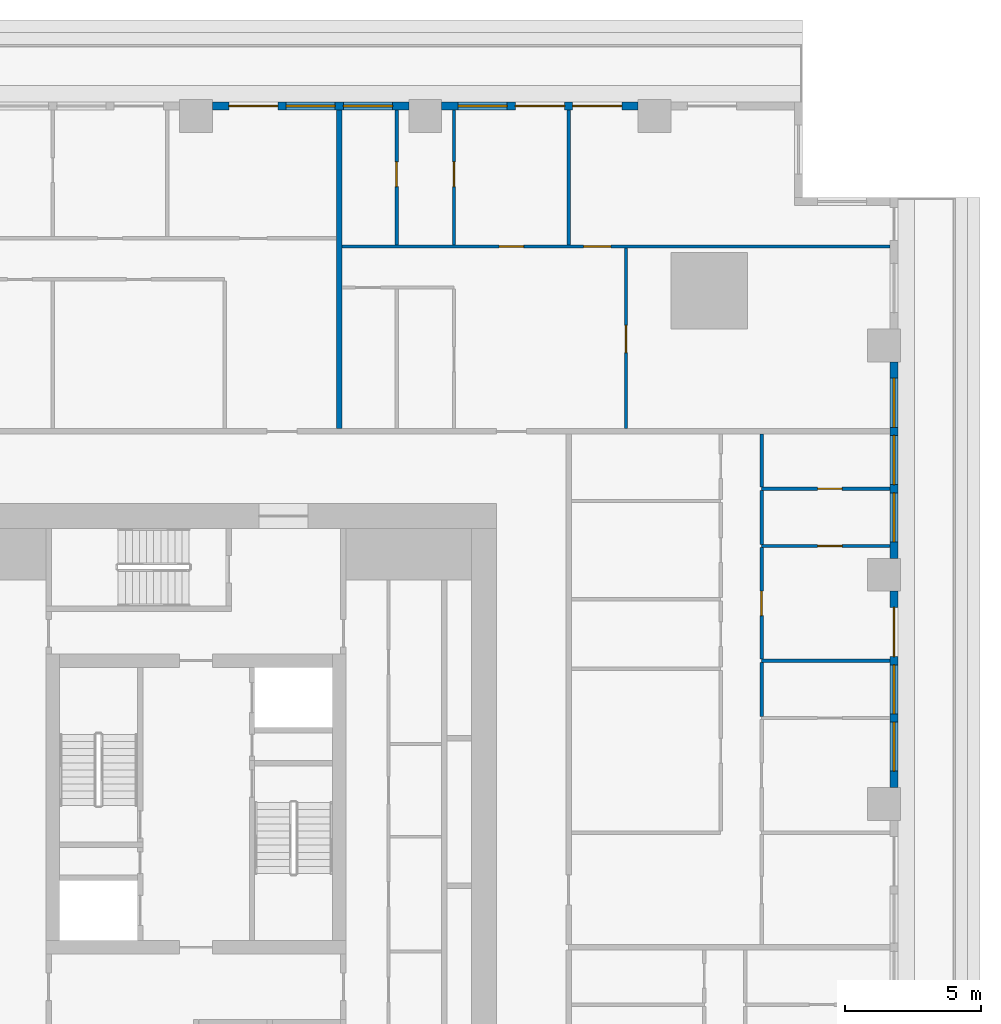
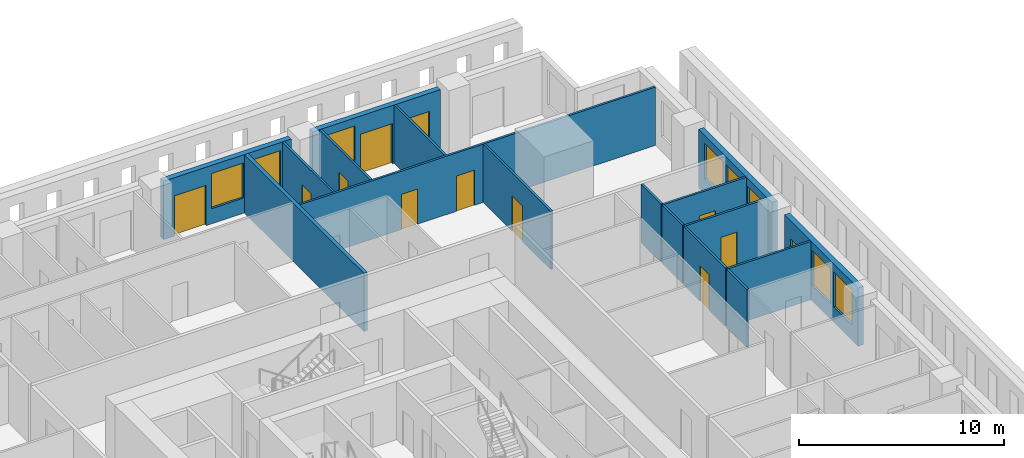
# One storey, part 9 of 15: 17 walls, 12 doors, 8 windows, 20 openings.
"""IFC4 building model written with IfcOpenShell, lengths in metres."""

from ifc_helpers import new_model, si_unit, direction, frame, frame_2d, origin, place, context, subcontext, project, spatial, rectangle, extrude, material, layer, layer_set, type_object, element, fill, save


model = new_model("IFC4")

# Units and contexts
model_context = context("Model", 3, precision=1e-05, world=origin(), true_north=direction((0.0, 1.0)))
body_context = subcontext(model_context, "Body", "Model", "MODEL_VIEW")
ifc_project = project(units=[si_unit("LENGTHUNIT", "METRE"), si_unit("AREAUNIT", "SQUARE_METRE"), si_unit("VOLUMEUNIT", "CUBIC_METRE"), si_unit("PLANEANGLEUNIT", "RADIAN"), si_unit("MASSUNIT", "GRAM", prefix="KILO")], contexts=[model_context])

# Site, building, storey
site_placement = place(None, origin())
site = spatial("IfcSite", under=ifc_project, at=site_placement, CompositionType="ELEMENT")
building_placement = place(site_placement, origin())
building = spatial("IfcBuilding", under=site, at=building_placement, Name="Khepri Terraces", CompositionType="ELEMENT")
storey_placement = place(building_placement, frame((0.0, 0.0, 94.800048828125)))
storey = spatial("IfcBuildingStorey", under=building, at=storey_placement, Name="L22", CompositionType="ELEMENT", Elevation=94.800048828125)

# Wall
ifc_material_1 = material(Name="Fire-rated gypsum plasterboard partition, mineral wool")
ifc_layer_1 = layer(ifc_material_1, 0.199951171875, Name="Fire-rated gypsum plasterboard partition, mineral wool")
ifc_layer_set_1 = layer_set([ifc_layer_1], Name="Fire-rated gypsum plasterboard partition, mineral wool")
wall_type_1 = type_object("IfcWallType", Name="WL-CORR-200", PredefinedType="PARTITIONING", material=ifc_layer_set_1)
wall_1_placement = place(storey_placement, frame((5.25, 13.75, 0.0), z_axis=(0.0, 0.0, 1.0), x_axis=(0.0, 1.0, 0.0)))
element("IfcWall", 1, at=wall_1_placement, inside=storey, type_object=wall_type_1, Name="Partition P-088 L22", PredefinedType="PARTITIONING", context=body_context, shape_type="SweptSolid", body=[
    extrude(rectangle(XDim=11.669921875, YDim=0.199951171875, at=frame_2d((5.8349609375, 0.0))), origin(), (0.0, 0.0, 1.0), 3.47998046875),
])

# Wall, openings, door, windows
ifc_material_2 = material(Name="Precast concrete C50/60 warm stone", Category="masonry")
ifc_layer_2 = layer(ifc_material_2, 0.300048828125, Name="Precast concrete C50/60 warm stone", Category="masonry")
ifc_layer_set_2 = layer_set([ifc_layer_2], Name="Precast concrete C50/60 warm stone")
wall_type_2 = type_object("IfcWallType", Name="WL-EXT-PRECAST-300", PredefinedType="STANDARD", material=ifc_layer_set_2)
wall_2_placement = place(storey_placement, frame((25.570068359375, 0.60009765625, 0.0), z_axis=(0.0, 0.0, 1.0), x_axis=(0.0, 1.0, 0.0)))
wall_2 = element("IfcWall", 2, at=wall_2_placement, inside=storey, type_object=wall_type_2, Name="External wall L22 E", PredefinedType="STANDARD", context=body_context, shape_type="SweptSolid", body=[
    extrude(rectangle(XDim=7.199951171875, YDim=0.300048828125, at=frame_2d((3.60009765625, 0.0))), origin(), (0.0, 0.0, 1.0), 3.47998046875),
])
opening_1_placement = place(wall_2_placement, frame((0.60009765625, 0.0, 0.89990234375)))
opening_1 = element("IfcOpeningElement", 3, at=opening_1_placement, cuts=wall_2, Name="Opening W1", PredefinedType="OPENING", context=body_context, shape_type="SweptSolid", body=[
    extrude(rectangle(XDim=1.800048828125, YDim=2.10009765625, at=frame_2d((0.89990234375, 1.050048828125))), frame((0.0, 0.16015625, 0.0), z_axis=(0.0, -1.0, 0.0), x_axis=(1.0, 0.0, 0.0)), (0.0, 0.0, 1.0), 0.320068359375),
])
opening_2_placement = place(wall_2_placement, frame((2.699951171875, 0.0, 0.89990234375)))
opening_2 = element("IfcOpeningElement", 4, at=opening_2_placement, cuts=wall_2, Name="Opening W1", PredefinedType="OPENING", context=body_context, shape_type="SweptSolid", body=[
    extrude(rectangle(XDim=1.800048828125, YDim=2.10009765625, at=frame_2d((0.89990234375, 1.050048828125))), frame((0.0, 0.16015625, 0.0), z_axis=(0.0, -1.0, 0.0), x_axis=(1.0, 0.0, 0.0)), (0.0, 0.0, 1.0), 0.320068359375),
])
opening_3_placement = place(wall_2_placement, frame((4.800048828125, 0.0, 0.0)))
opening_3 = element("IfcOpeningElement", 5, at=opening_3_placement, cuts=wall_2, Name="Opening ED-L22-05", PredefinedType="OPENING", context=body_context, shape_type="SweptSolid", body=[
    extrude(rectangle(XDim=1.800048828125, YDim=2.39990234375, at=frame_2d((0.89990234375, 1.199951171875))), frame((0.0, 0.16015625, 0.0), z_axis=(0.0, -1.0, 0.0), x_axis=(1.0, 0.0, 0.0)), (0.0, 0.0, 1.0), 0.320068359375),
])
ifc_material_3 = material(Name="Anodised aluminium bronze glazed door", Category="aluminium")
door_type_1 = type_object("IfcDoorType", Name="DR-BAL-SLIDE-1800x2400", OperationType="NOTDEFINED", PredefinedType="DOOR", material=ifc_material_3)
door_1_placement = place(opening_3_placement, origin())
door_1 = element("IfcDoor", 6, at=door_1_placement, inside=storey, type_object=door_type_1, Name="Balcony door L22 E", OperationType="SLIDING_TO_RIGHT", OverallHeight=2.39990234375, OverallWidth=1.800048828125, PredefinedType="DOOR", context=body_context, shape_type="SweptSolid", body=[
    extrude(rectangle(XDim=1.800048828125, YDim=2.39990234375, at=frame_2d((0.89990234375, 1.199951171875))), frame((0.0, 0.02490234375, 0.0), z_axis=(0.0, -1.0, 0.0), x_axis=(1.0, 0.0, 0.0)), (0.0, 0.0, 1.0), 0.050048828125),
])
fill(opening_3, door_1)
ifc_material_4 = material(Name="Clear glass", Category="glass")
window_type = type_object("IfcWindowType", Name="WIN-RES-1800x2100", PartitioningType="SINGLE_PANEL", PredefinedType="WINDOW", material=ifc_material_4)
window_1_placement = place(opening_1_placement, origin())
window_1 = element("IfcWindow", 7, at=window_1_placement, inside=storey, type_object=window_type, Name="Window L22 E", OverallHeight=2.10009765625, OverallWidth=1.800048828125, PartitioningType="SINGLE_PANEL", PredefinedType="WINDOW", context=body_context, shape_type="SweptSolid", body=[
    extrude(rectangle(XDim=1.800048828125, YDim=2.10009765625, at=frame_2d((0.89990234375, 1.050048828125))), frame((0.0, 0.030029296875, 0.0), z_axis=(0.0, -1.0, 0.0), x_axis=(1.0, 0.0, 0.0)), (0.0, 0.0, 1.0), 0.06005859375),
])
fill(opening_1, window_1)
window_2_placement = place(opening_2_placement, origin())
window_2 = element("IfcWindow", 8, at=window_2_placement, inside=storey, type_object=window_type, Name="Window L22 E", OverallHeight=2.10009765625, OverallWidth=1.800048828125, PartitioningType="SINGLE_PANEL", PredefinedType="WINDOW", context=body_context, shape_type="SweptSolid", body=[
    extrude(rectangle(XDim=1.800048828125, YDim=2.10009765625, at=frame_2d((0.89990234375, 1.050048828125))), frame((0.0, 0.030029296875, 0.0), z_axis=(0.0, -1.0, 0.0), x_axis=(1.0, 0.0, 0.0)), (0.0, 0.0, 1.0), 0.06005859375),
])
fill(opening_2, window_2)

# Wall, openings, windows
wall_3_placement = place(storey_placement, frame((25.570068359375, 9.0, 0.0), z_axis=(0.0, 0.0, 1.0), x_axis=(0.0, 1.0, 0.0)))
wall_3 = element("IfcWall", 9, at=wall_3_placement, inside=storey, type_object=wall_type_2, Name="External wall L22 E", PredefinedType="STANDARD", context=body_context, shape_type="SweptSolid", body=[
    extrude(rectangle(XDim=7.199951171875, YDim=0.300048828125, at=frame_2d((3.60009765625, 0.0))), origin(), (0.0, 0.0, 1.0), 3.47998046875),
])
opening_4_placement = place(wall_3_placement, frame((0.60009765625, 0.0, 0.89990234375)))
opening_4 = element("IfcOpeningElement", 10, at=opening_4_placement, cuts=wall_3, Name="Opening W1", PredefinedType="OPENING", context=body_context, shape_type="SweptSolid", body=[
    extrude(rectangle(XDim=1.800048828125, YDim=2.10009765625, at=frame_2d((0.89990234375, 1.050048828125))), frame((0.0, 0.16015625, 0.0), z_axis=(0.0, -1.0, 0.0), x_axis=(1.0, 0.0, 0.0)), (0.0, 0.0, 1.0), 0.320068359375),
])
opening_5_placement = place(wall_3_placement, frame((2.699951171875, 0.0, 0.89990234375)))
opening_5 = element("IfcOpeningElement", 11, at=opening_5_placement, cuts=wall_3, Name="Opening W1", PredefinedType="OPENING", context=body_context, shape_type="SweptSolid", body=[
    extrude(rectangle(XDim=1.800048828125, YDim=2.10009765625, at=frame_2d((0.89990234375, 1.050048828125))), frame((0.0, 0.16015625, 0.0), z_axis=(0.0, -1.0, 0.0), x_axis=(1.0, 0.0, 0.0)), (0.0, 0.0, 1.0), 0.320068359375),
])
opening_6_placement = place(wall_3_placement, frame((4.800048828125, 0.0, 0.89990234375)))
opening_6 = element("IfcOpeningElement", 12, at=opening_6_placement, cuts=wall_3, Name="Opening W1", PredefinedType="OPENING", context=body_context, shape_type="SweptSolid", body=[
    extrude(rectangle(XDim=1.800048828125, YDim=2.10009765625, at=frame_2d((0.89990234375, 1.050048828125))), frame((0.0, 0.16015625, 0.0), z_axis=(0.0, -1.0, 0.0), x_axis=(1.0, 0.0, 0.0)), (0.0, 0.0, 1.0), 0.320068359375),
])
window_3_placement = place(opening_4_placement, origin())
window_3 = element("IfcWindow", 13, at=window_3_placement, inside=storey, type_object=window_type, Name="Window L22 E", OverallHeight=2.10009765625, OverallWidth=1.800048828125, PartitioningType="SINGLE_PANEL", PredefinedType="WINDOW", context=body_context, shape_type="SweptSolid", body=[
    extrude(rectangle(XDim=1.800048828125, YDim=2.10009765625, at=frame_2d((0.89990234375, 1.050048828125))), frame((0.0, 0.030029296875, 0.0), z_axis=(0.0, -1.0, 0.0), x_axis=(1.0, 0.0, 0.0)), (0.0, 0.0, 1.0), 0.06005859375),
])
fill(opening_4, window_3)
window_4_placement = place(opening_5_placement, origin())
window_4 = element("IfcWindow", 14, at=window_4_placement, inside=storey, type_object=window_type, Name="Window L22 E", OverallHeight=2.10009765625, OverallWidth=1.800048828125, PartitioningType="SINGLE_PANEL", PredefinedType="WINDOW", context=body_context, shape_type="SweptSolid", body=[
    extrude(rectangle(XDim=1.800048828125, YDim=2.10009765625, at=frame_2d((0.89990234375, 1.050048828125))), frame((0.0, 0.030029296875, 0.0), z_axis=(0.0, -1.0, 0.0), x_axis=(1.0, 0.0, 0.0)), (0.0, 0.0, 1.0), 0.06005859375),
])
fill(opening_5, window_4)
window_5_placement = place(opening_6_placement, origin())
window_5 = element("IfcWindow", 15, at=window_5_placement, inside=storey, type_object=window_type, Name="Window L22 E", OverallHeight=2.10009765625, OverallWidth=1.800048828125, PartitioningType="SINGLE_PANEL", PredefinedType="WINDOW", context=body_context, shape_type="SweptSolid", body=[
    extrude(rectangle(XDim=1.800048828125, YDim=2.10009765625, at=frame_2d((0.89990234375, 1.050048828125))), frame((0.0, 0.030029296875, 0.0), z_axis=(0.0, -1.0, 0.0), x_axis=(1.0, 0.0, 0.0)), (0.0, 0.0, 1.0), 0.06005859375),
])
fill(opening_6, window_5)

# Wall, openings, doors, window
wall_4_placement = place(storey_placement, frame((16.199951171875, 25.570068359375, 0.0), z_axis=(0.0, 0.0, 1.0), x_axis=(-1.0, 0.0, 0.0)))
wall_4 = element("IfcWall", 16, at=wall_4_placement, inside=storey, type_object=wall_type_2, Name="External wall L22 N", PredefinedType="STANDARD", context=body_context, shape_type="SweptSolid", body=[
    extrude(rectangle(XDim=7.199951171875, YDim=0.300048828125, at=frame_2d((3.60009765625, 0.0))), origin(), (0.0, 0.0, 1.0), 3.47998046875),
])
opening_7_placement = place(wall_4_placement, frame((0.60009765625, 0.0, 0.0)))
opening_7 = element("IfcOpeningElement", 17, at=opening_7_placement, cuts=wall_4, Name="Opening ED-L22-08", PredefinedType="OPENING", context=body_context, shape_type="SweptSolid", body=[
    extrude(rectangle(XDim=1.800048828125, YDim=2.39990234375, at=frame_2d((0.89990234375, 1.199951171875))), frame((0.0, 0.16015625, 0.0), z_axis=(0.0, -1.0, 0.0), x_axis=(1.0, 0.0, 0.0)), (0.0, 0.0, 1.0), 0.320068359375),
])
opening_8_placement = place(wall_4_placement, frame((2.699951171875, 0.0, 0.0)))
opening_8 = element("IfcOpeningElement", 18, at=opening_8_placement, cuts=wall_4, Name="Opening ED-L22-09", PredefinedType="OPENING", context=body_context, shape_type="SweptSolid", body=[
    extrude(rectangle(XDim=1.800048828125, YDim=2.39990234375, at=frame_2d((0.89990234375, 1.199951171875))), frame((0.0, 0.16015625, 0.0), z_axis=(0.0, -1.0, 0.0), x_axis=(1.0, 0.0, 0.0)), (0.0, 0.0, 1.0), 0.320068359375),
])
opening_9_placement = place(wall_4_placement, frame((4.800048828125, 0.0, 0.89990234375)))
opening_9 = element("IfcOpeningElement", 19, at=opening_9_placement, cuts=wall_4, Name="Opening W1", PredefinedType="OPENING", context=body_context, shape_type="SweptSolid", body=[
    extrude(rectangle(XDim=1.800048828125, YDim=2.10009765625, at=frame_2d((0.89990234375, 1.050048828125))), frame((0.0, 0.16015625, 0.0), z_axis=(0.0, -1.0, 0.0), x_axis=(1.0, 0.0, 0.0)), (0.0, 0.0, 1.0), 0.320068359375),
])
door_2_placement = place(opening_7_placement, origin())
door_2 = element("IfcDoor", 20, at=door_2_placement, inside=storey, type_object=door_type_1, Name="Balcony door L22 N", OperationType="SLIDING_TO_LEFT", OverallHeight=2.39990234375, OverallWidth=1.800048828125, PredefinedType="DOOR", context=body_context, shape_type="SweptSolid", body=[
    extrude(rectangle(XDim=1.800048828125, YDim=2.39990234375, at=frame_2d((0.89990234375, 1.199951171875))), frame((0.0, 0.02490234375, 0.0), z_axis=(0.0, -1.0, 0.0), x_axis=(1.0, 0.0, 0.0)), (0.0, 0.0, 1.0), 0.050048828125),
])
fill(opening_7, door_2)
door_3_placement = place(opening_8_placement, origin())
door_3 = element("IfcDoor", 21, at=door_3_placement, inside=storey, type_object=door_type_1, Name="Balcony door L22 N", OperationType="SLIDING_TO_RIGHT", OverallHeight=2.39990234375, OverallWidth=1.800048828125, PredefinedType="DOOR", context=body_context, shape_type="SweptSolid", body=[
    extrude(rectangle(XDim=1.800048828125, YDim=2.39990234375, at=frame_2d((0.89990234375, 1.199951171875))), frame((0.0, 0.02490234375, 0.0), z_axis=(0.0, -1.0, 0.0), x_axis=(1.0, 0.0, 0.0)), (0.0, 0.0, 1.0), 0.050048828125),
])
fill(opening_8, door_3)
window_6_placement = place(opening_9_placement, origin())
window_6 = element("IfcWindow", 22, at=window_6_placement, inside=storey, type_object=window_type, Name="Window L22 N", OverallHeight=2.10009765625, OverallWidth=1.800048828125, PartitioningType="SINGLE_PANEL", PredefinedType="WINDOW", context=body_context, shape_type="SweptSolid", body=[
    extrude(rectangle(XDim=1.800048828125, YDim=2.10009765625, at=frame_2d((0.89990234375, 1.050048828125))), frame((0.0, 0.030029296875, 0.0), z_axis=(0.0, -1.0, 0.0), x_axis=(1.0, 0.0, 0.0)), (0.0, 0.0, 1.0), 0.06005859375),
])
fill(opening_9, window_6)

# Wall, openings, door, windows
wall_5_placement = place(storey_placement, frame((7.800048828125, 25.570068359375, 0.0), z_axis=(0.0, 0.0, 1.0), x_axis=(-1.0, 0.0, 0.0)))
wall_5 = element("IfcWall", 23, at=wall_5_placement, inside=storey, type_object=wall_type_2, Name="External wall L22 N", PredefinedType="STANDARD", context=body_context, shape_type="SweptSolid", body=[
    extrude(rectangle(XDim=7.199951171875, YDim=0.300048828125, at=frame_2d((3.60009765625, 0.0))), origin(), (0.0, 0.0, 1.0), 3.47998046875),
])
opening_10_placement = place(wall_5_placement, frame((0.60009765625, 0.0, 0.89990234375)))
opening_10 = element("IfcOpeningElement", 24, at=opening_10_placement, cuts=wall_5, Name="Opening W1", PredefinedType="OPENING", context=body_context, shape_type="SweptSolid", body=[
    extrude(rectangle(XDim=1.800048828125, YDim=2.10009765625, at=frame_2d((0.89990234375, 1.050048828125))), frame((0.0, 0.16015625, 0.0), z_axis=(0.0, -1.0, 0.0), x_axis=(1.0, 0.0, 0.0)), (0.0, 0.0, 1.0), 0.320068359375),
])
opening_11_placement = place(wall_5_placement, frame((2.699951171875, 0.0, 0.89990234375)))
opening_11 = element("IfcOpeningElement", 25, at=opening_11_placement, cuts=wall_5, Name="Opening W1", PredefinedType="OPENING", context=body_context, shape_type="SweptSolid", body=[
    extrude(rectangle(XDim=1.800048828125, YDim=2.10009765625, at=frame_2d((0.89990234375, 1.050048828125))), frame((0.0, 0.16015625, 0.0), z_axis=(0.0, -1.0, 0.0), x_axis=(1.0, 0.0, 0.0)), (0.0, 0.0, 1.0), 0.320068359375),
])
opening_12_placement = place(wall_5_placement, frame((4.800048828125, 0.0, 0.0)))
opening_12 = element("IfcOpeningElement", 26, at=opening_12_placement, cuts=wall_5, Name="Opening ED-L22-10", PredefinedType="OPENING", context=body_context, shape_type="SweptSolid", body=[
    extrude(rectangle(XDim=1.800048828125, YDim=2.39990234375, at=frame_2d((0.89990234375, 1.199951171875))), frame((0.0, 0.16015625, 0.0), z_axis=(0.0, -1.0, 0.0), x_axis=(1.0, 0.0, 0.0)), (0.0, 0.0, 1.0), 0.320068359375),
])
door_4_placement = place(opening_12_placement, origin())
door_4 = element("IfcDoor", 27, at=door_4_placement, inside=storey, type_object=door_type_1, Name="Balcony door L22 N", OperationType="SLIDING_TO_RIGHT", OverallHeight=2.39990234375, OverallWidth=1.800048828125, PredefinedType="DOOR", context=body_context, shape_type="SweptSolid", body=[
    extrude(rectangle(XDim=1.800048828125, YDim=2.39990234375, at=frame_2d((0.89990234375, 1.199951171875))), frame((0.0, 0.02490234375, 0.0), z_axis=(0.0, -1.0, 0.0), x_axis=(1.0, 0.0, 0.0)), (0.0, 0.0, 1.0), 0.050048828125),
])
fill(opening_12, door_4)
window_7_placement = place(opening_10_placement, origin())
window_7 = element("IfcWindow", 28, at=window_7_placement, inside=storey, type_object=window_type, Name="Window L22 N", OverallHeight=2.10009765625, OverallWidth=1.800048828125, PartitioningType="SINGLE_PANEL", PredefinedType="WINDOW", context=body_context, shape_type="SweptSolid", body=[
    extrude(rectangle(XDim=1.800048828125, YDim=2.10009765625, at=frame_2d((0.89990234375, 1.050048828125))), frame((0.0, 0.030029296875, 0.0), z_axis=(0.0, -1.0, 0.0), x_axis=(1.0, 0.0, 0.0)), (0.0, 0.0, 1.0), 0.06005859375),
])
fill(opening_10, window_7)
window_8_placement = place(opening_11_placement, origin())
window_8 = element("IfcWindow", 29, at=window_8_placement, inside=storey, type_object=window_type, Name="Window L22 N", OverallHeight=2.10009765625, OverallWidth=1.800048828125, PartitioningType="SINGLE_PANEL", PredefinedType="WINDOW", context=body_context, shape_type="SweptSolid", body=[
    extrude(rectangle(XDim=1.800048828125, YDim=2.10009765625, at=frame_2d((0.89990234375, 1.050048828125))), frame((0.0, 0.030029296875, 0.0), z_axis=(0.0, -1.0, 0.0), x_axis=(1.0, 0.0, 0.0)), (0.0, 0.0, 1.0), 0.06005859375),
])
fill(opening_11, window_8)

# Walls
ifc_material_5 = material(Name="Gypsum plasterboard partition")
ifc_layer_3 = layer(ifc_material_5, 0.1201171875, Name="Gypsum plasterboard partition")
ifc_layer_set_3 = layer_set([ifc_layer_3], Name="Gypsum plasterboard partition")
wall_type_3 = type_object("IfcWallType", Name="WL-PART-120", PredefinedType="PARTITIONING", material=ifc_layer_set_3)
wall_6_placement = place(storey_placement, frame((20.719970703125, 3.2099609375, 0.0), z_axis=(0.0, 0.0, 1.0), x_axis=(0.0, 1.0, 0.0)))
element("IfcWall", 30, at=wall_6_placement, inside=storey, type_object=wall_type_3, Name="Partition P-063 L22", PredefinedType="PARTITIONING", context=body_context, shape_type="SweptSolid", body=[
    extrude(rectangle(XDim=1.97998046875, YDim=0.1201171875, at=frame_2d((0.989990234375, 0.0))), origin(), (0.0, 0.0, 1.0), 3.47998046875),
])
wall_7_placement = place(storey_placement, frame((20.719970703125, 5.25, 0.0), z_axis=(0.0, 0.0, 1.0), x_axis=(1.0, 0.0, 0.0)))
element("IfcWall", 31, at=wall_7_placement, inside=storey, type_object=wall_type_3, Name="Partition P-066 L22", PredefinedType="PARTITIONING", context=body_context, shape_type="SweptSolid", body=[
    extrude(rectangle(XDim=4.699951171875, YDim=0.1201171875, at=frame_2d((2.35009765625, 0.0))), origin(), (0.0, 0.0, 1.0), 3.47998046875),
])

# Wall, opening, door
wall_8_placement = place(storey_placement, frame((20.719970703125, 5.31005859375, 0.0), z_axis=(0.0, 0.0, 1.0), x_axis=(0.0, 1.0, 0.0)))
wall_8 = element("IfcWall", 32, at=wall_8_placement, inside=storey, type_object=wall_type_3, Name="Partition P-067 L22", PredefinedType="PARTITIONING", context=body_context, shape_type="SweptSolid", body=[
    extrude(rectangle(XDim=4.079833984375, YDim=0.1201171875, at=frame_2d((2.0400390625, 0.0))), origin(), (0.0, 0.0, 1.0), 3.47998046875),
])
opening_13_placement = place(wall_8_placement, frame((1.590087890625, 0.0, 0.0)))
opening_13 = element("IfcOpeningElement", 33, at=opening_13_placement, cuts=wall_8, Name="Opening D3", PredefinedType="OPENING", context=body_context, shape_type="SweptSolid", body=[
    extrude(rectangle(XDim=0.89990234375, YDim=2.10009765625, at=frame_2d((0.449951171875, 1.050048828125))), frame((0.0, 0.070068359375, 0.0), z_axis=(0.0, -1.0, 0.0), x_axis=(1.0, 0.0, 0.0)), (0.0, 0.0, 1.0), 0.14013671875),
])
ifc_material_6 = material(Name="Timber door leaf", Category="wood")
door_type_2 = type_object("IfcDoorType", Name="DR-INT-900", OperationType="NOTDEFINED", PredefinedType="DOOR", material=ifc_material_6)
door_5_placement = place(opening_13_placement, frame((0.89990234375, 0.0, 0.0), z_axis=(0.0, 0.0, 1.0), x_axis=(-1.0, 0.0, 0.0)))
door_5 = element("IfcDoor", 34, at=door_5_placement, inside=storey, type_object=door_type_2, Name="Door Master Bedroom", OperationType="SINGLE_SWING_RIGHT", OverallHeight=2.10009765625, OverallWidth=0.89990234375, PredefinedType="DOOR", context=body_context, shape_type="SweptSolid", body=[
    extrude(rectangle(XDim=0.89990234375, YDim=2.10009765625, at=frame_2d((0.449951171875, 1.050048828125))), frame((0.0, 0.02490234375, 0.0), z_axis=(0.0, -1.0, 0.0), x_axis=(1.0, 0.0, 0.0)), (0.0, 0.0, 1.0), 0.050048828125),
])
fill(opening_13, door_5)

wall_9_placement = place(storey_placement, frame((20.719970703125, 9.449951171875, 0.0), z_axis=(0.0, 0.0, 1.0), x_axis=(1.0, 0.0, 0.0)))
wall_9 = element("IfcWall", 35, at=wall_9_placement, inside=storey, type_object=wall_type_3, Name="Partition P-073 L22", PredefinedType="PARTITIONING", context=body_context, shape_type="SweptSolid", body=[
    extrude(rectangle(XDim=4.699951171875, YDim=0.1201171875, at=frame_2d((2.35009765625, 0.0))), origin(), (0.0, 0.0, 1.0), 3.47998046875),
])
opening_14_placement = place(wall_9_placement, frame((2.050048828125, 0.0, 0.0)))
opening_14 = element("IfcOpeningElement", 36, at=opening_14_placement, cuts=wall_9, Name="Opening D3", PredefinedType="OPENING", context=body_context, shape_type="SweptSolid", body=[
    extrude(rectangle(XDim=0.89990234375, YDim=2.10009765625, at=frame_2d((0.449951171875, 1.050048828125))), frame((0.0, 0.070068359375, 0.0), z_axis=(0.0, -1.0, 0.0), x_axis=(1.0, 0.0, 0.0)), (0.0, 0.0, 1.0), 0.14013671875),
])
door_6_placement = place(opening_14_placement, origin())
door_6 = element("IfcDoor", 37, at=door_6_placement, inside=storey, type_object=door_type_2, Name="Door Dressing Room", OperationType="SINGLE_SWING_RIGHT", OverallHeight=2.10009765625, OverallWidth=0.89990234375, PredefinedType="DOOR", context=body_context, shape_type="SweptSolid", body=[
    extrude(rectangle(XDim=0.89990234375, YDim=2.10009765625, at=frame_2d((0.449951171875, 1.050048828125))), frame((0.0, 0.02490234375, 0.0), z_axis=(0.0, -1.0, 0.0), x_axis=(1.0, 0.0, 0.0)), (0.0, 0.0, 1.0), 0.050048828125),
])
fill(opening_14, door_6)

# Wall
wall_10_placement = place(storey_placement, frame((20.719970703125, 9.510009765625, 0.0), z_axis=(0.0, 0.0, 1.0), x_axis=(0.0, 1.0, 0.0)))
element("IfcWall", 38, at=wall_10_placement, inside=storey, type_object=wall_type_3, Name="Partition P-074 L22", PredefinedType="PARTITIONING", context=body_context, shape_type="SweptSolid", body=[
    extrude(rectangle(XDim=1.97998046875, YDim=0.1201171875, at=frame_2d((0.989990234375, 0.0))), origin(), (0.0, 0.0, 1.0), 3.47998046875),
])

# Wall, opening, door
wall_11_placement = place(storey_placement, frame((20.719970703125, 11.550048828125, 0.0), z_axis=(0.0, 0.0, 1.0), x_axis=(1.0, 0.0, 0.0)))
wall_11 = element("IfcWall", 39, at=wall_11_placement, inside=storey, type_object=wall_type_3, Name="Partition P-078 L22", PredefinedType="PARTITIONING", context=body_context, shape_type="SweptSolid", body=[
    extrude(rectangle(XDim=4.699951171875, YDim=0.1201171875, at=frame_2d((2.35009765625, 0.0))), origin(), (0.0, 0.0, 1.0), 3.47998046875),
])
opening_15_placement = place(wall_11_placement, frame((2.050048828125, 0.0, 0.0)))
opening_15 = element("IfcOpeningElement", 40, at=opening_15_placement, cuts=wall_11, Name="Opening D4", PredefinedType="OPENING", context=body_context, shape_type="SweptSolid", body=[
    extrude(rectangle(XDim=0.89990234375, YDim=2.10009765625, at=frame_2d((0.449951171875, 1.050048828125))), frame((0.0, 0.070068359375, 0.0), z_axis=(0.0, -1.0, 0.0), x_axis=(1.0, 0.0, 0.0)), (0.0, 0.0, 1.0), 0.14013671875),
])
ifc_material_7 = material(Name="Timber door leaf, moisture resistant", Category="wood")
door_type_3 = type_object("IfcDoorType", Name="DR-WET-900", OperationType="NOTDEFINED", PredefinedType="DOOR", material=ifc_material_7)
door_7_placement = place(opening_15_placement, origin())
door_7 = element("IfcDoor", 41, at=door_7_placement, inside=storey, type_object=door_type_3, Name="Door Bathroom", OperationType="SINGLE_SWING_RIGHT", OverallHeight=2.10009765625, OverallWidth=0.89990234375, PredefinedType="DOOR", context=body_context, shape_type="SweptSolid", body=[
    extrude(rectangle(XDim=0.89990234375, YDim=2.10009765625, at=frame_2d((0.449951171875, 1.050048828125))), frame((0.0, 0.02490234375, 0.0), z_axis=(0.0, -1.0, 0.0), x_axis=(1.0, 0.0, 0.0)), (0.0, 0.0, 1.0), 0.050048828125),
])
fill(opening_15, door_7)

# Wall
wall_12_placement = place(storey_placement, frame((20.719970703125, 11.610107421875, 0.0), z_axis=(0.0, 0.0, 1.0), x_axis=(0.0, 1.0, 0.0)))
element("IfcWall", 42, at=wall_12_placement, inside=storey, type_object=wall_type_3, Name="Partition P-080 L22", PredefinedType="PARTITIONING", context=body_context, shape_type="SweptSolid", body=[
    extrude(rectangle(XDim=1.93994140625, YDim=0.1201171875, at=frame_2d((0.969970703125, 0.0))), origin(), (0.0, 0.0, 1.0), 3.47998046875),
])

# Wall, opening, door
wall_13_placement = place(storey_placement, frame((15.75, 13.75, 0.0), z_axis=(0.0, 0.0, 1.0), x_axis=(0.0, 1.0, 0.0)))
wall_13 = element("IfcWall", 43, at=wall_13_placement, inside=storey, type_object=wall_type_3, Name="Partition P-091 L22", PredefinedType="PARTITIONING", context=body_context, shape_type="SweptSolid", body=[
    extrude(rectangle(XDim=6.610107421875, YDim=0.1201171875, at=frame_2d((3.30517578125, 0.0))), origin(), (0.0, 0.0, 1.0), 3.47998046875),
])
opening_16_placement = place(wall_13_placement, frame((2.784912109375, 0.0, 0.0)))
opening_16 = element("IfcOpeningElement", 44, at=opening_16_placement, cuts=wall_13, Name="Opening D2", PredefinedType="OPENING", context=body_context, shape_type="SweptSolid", body=[
    extrude(rectangle(XDim=1.0, YDim=2.10009765625, at=frame_2d((0.5, 1.050048828125))), frame((0.0, 0.070068359375, 0.0), z_axis=(0.0, -1.0, 0.0), x_axis=(1.0, 0.0, 0.0)), (0.0, 0.0, 1.0), 0.14013671875),
])
ifc_material_8 = material(Name="Timber door leaf, living room door", Category="wood")
door_type_4 = type_object("IfcDoorType", Name="DR-INT-1000", OperationType="NOTDEFINED", PredefinedType="DOOR", material=ifc_material_8)
door_8_placement = place(opening_16_placement, frame((1.0, 0.0, 0.0), z_axis=(0.0, 0.0, 1.0), x_axis=(-1.0, 0.0, 0.0)))
door_8 = element("IfcDoor", 45, at=door_8_placement, inside=storey, type_object=door_type_4, Name="Door Family Room", OperationType="SINGLE_SWING_RIGHT", OverallHeight=2.10009765625, OverallWidth=1.0, PredefinedType="DOOR", context=body_context, shape_type="SweptSolid", body=[
    extrude(rectangle(XDim=1.0, YDim=2.10009765625, at=frame_2d((0.5, 1.050048828125))), frame((0.0, 0.02490234375, 0.0), z_axis=(0.0, -1.0, 0.0), x_axis=(1.0, 0.0, 0.0)), (0.0, 0.0, 1.0), 0.050048828125),
])
fill(opening_16, door_8)

# Wall, openings, doors
wall_14_placement = place(storey_placement, frame((5.35009765625, 20.419921875, 0.0), z_axis=(0.0, 0.0, 1.0), x_axis=(1.0, 0.0, 0.0)))
wall_14 = element("IfcWall", 46, at=wall_14_placement, inside=storey, type_object=wall_type_3, Name="Partition P-096 L22", PredefinedType="PARTITIONING", context=body_context, shape_type="SweptSolid", body=[
    extrude(rectangle(XDim=20.06982421875, YDim=0.1201171875, at=frame_2d((10.034912109375, 0.0))), origin(), (0.0, 0.0, 1.0), 3.47998046875),
])
opening_17_placement = place(wall_14_placement, frame((8.85009765625, 0.0, 0.0)))
opening_17 = element("IfcOpeningElement", 47, at=opening_17_placement, cuts=wall_14, Name="Opening D2", PredefinedType="OPENING", context=body_context, shape_type="SweptSolid", body=[
    extrude(rectangle(XDim=1.0, YDim=2.10009765625, at=frame_2d((0.5, 1.050048828125))), frame((0.0, 0.070068359375, 0.0), z_axis=(0.0, -1.0, 0.0), x_axis=(1.0, 0.0, 0.0)), (0.0, 0.0, 1.0), 0.14013671875),
])
opening_18_placement = place(wall_14_placement, frame((5.75, 0.0, 0.0)))
opening_18 = element("IfcOpeningElement", 48, at=opening_18_placement, cuts=wall_14, Name="Opening D3", PredefinedType="OPENING", context=body_context, shape_type="SweptSolid", body=[
    extrude(rectangle(XDim=0.89990234375, YDim=2.10009765625, at=frame_2d((0.449951171875, 1.050048828125))), frame((0.0, 0.070068359375, 0.0), z_axis=(0.0, -1.0, 0.0), x_axis=(1.0, 0.0, 0.0)), (0.0, 0.0, 1.0), 0.14013671875),
])
door_9_placement = place(opening_17_placement, origin())
door_9 = element("IfcDoor", 49, at=door_9_placement, inside=storey, type_object=door_type_4, Name="Door Living Room", OperationType="SINGLE_SWING_LEFT", OverallHeight=2.10009765625, OverallWidth=1.0, PredefinedType="DOOR", context=body_context, shape_type="SweptSolid", body=[
    extrude(rectangle(XDim=1.0, YDim=2.10009765625, at=frame_2d((0.5, 1.050048828125))), frame((0.0, 0.02490234375, 0.0), z_axis=(0.0, -1.0, 0.0), x_axis=(1.0, 0.0, 0.0)), (0.0, 0.0, 1.0), 0.050048828125),
])
fill(opening_17, door_9)
door_10_placement = place(opening_18_placement, origin())
door_10 = element("IfcDoor", 50, at=door_10_placement, inside=storey, type_object=door_type_2, Name="Door Master Bedroom", OperationType="SINGLE_SWING_LEFT", OverallHeight=2.10009765625, OverallWidth=0.89990234375, PredefinedType="DOOR", context=body_context, shape_type="SweptSolid", body=[
    extrude(rectangle(XDim=0.89990234375, YDim=2.10009765625, at=frame_2d((0.449951171875, 1.050048828125))), frame((0.0, 0.02490234375, 0.0), z_axis=(0.0, -1.0, 0.0), x_axis=(1.0, 0.0, 0.0)), (0.0, 0.0, 1.0), 0.050048828125),
])
fill(opening_18, door_10)

# Wall, opening, door
wall_15_placement = place(storey_placement, frame((7.35009765625, 20.47998046875, 0.0), z_axis=(0.0, 0.0, 1.0), x_axis=(0.0, 1.0, 0.0)))
wall_15 = element("IfcWall", 51, at=wall_15_placement, inside=storey, type_object=wall_type_3, Name="Partition P-097 L22", PredefinedType="PARTITIONING", context=body_context, shape_type="SweptSolid", body=[
    extrude(rectangle(XDim=4.93994140625, YDim=0.1201171875, at=frame_2d((2.469970703125, 0.0))), origin(), (0.0, 0.0, 1.0), 3.47998046875),
])
opening_19_placement = place(wall_15_placement, frame((2.139892578125, 0.0, 0.0)))
opening_19 = element("IfcOpeningElement", 52, at=opening_19_placement, cuts=wall_15, Name="Opening D4", PredefinedType="OPENING", context=body_context, shape_type="SweptSolid", body=[
    extrude(rectangle(XDim=0.89990234375, YDim=2.10009765625, at=frame_2d((0.449951171875, 1.050048828125))), frame((0.0, 0.070068359375, 0.0), z_axis=(0.0, -1.0, 0.0), x_axis=(1.0, 0.0, 0.0)), (0.0, 0.0, 1.0), 0.14013671875),
])
door_11_placement = place(opening_19_placement, origin())
door_11 = element("IfcDoor", 53, at=door_11_placement, inside=storey, type_object=door_type_3, Name="Door Bathroom", OperationType="SINGLE_SWING_RIGHT", OverallHeight=2.10009765625, OverallWidth=0.89990234375, PredefinedType="DOOR", context=body_context, shape_type="SweptSolid", body=[
    extrude(rectangle(XDim=0.89990234375, YDim=2.10009765625, at=frame_2d((0.449951171875, 1.050048828125))), frame((0.0, 0.02490234375, 0.0), z_axis=(0.0, -1.0, 0.0), x_axis=(1.0, 0.0, 0.0)), (0.0, 0.0, 1.0), 0.050048828125),
])
fill(opening_19, door_11)

wall_16_placement = place(storey_placement, frame((9.449951171875, 20.47998046875, 0.0), z_axis=(0.0, 0.0, 1.0), x_axis=(0.0, 1.0, 0.0)))
wall_16 = element("IfcWall", 54, at=wall_16_placement, inside=storey, type_object=wall_type_3, Name="Partition P-098 L22", PredefinedType="PARTITIONING", context=body_context, shape_type="SweptSolid", body=[
    extrude(rectangle(XDim=4.93994140625, YDim=0.1201171875, at=frame_2d((2.469970703125, 0.0))), origin(), (0.0, 0.0, 1.0), 3.47998046875),
])
opening_20_placement = place(wall_16_placement, frame((2.139892578125, 0.0, 0.0)))
opening_20 = element("IfcOpeningElement", 55, at=opening_20_placement, cuts=wall_16, Name="Opening D3", PredefinedType="OPENING", context=body_context, shape_type="SweptSolid", body=[
    extrude(rectangle(XDim=0.89990234375, YDim=2.10009765625, at=frame_2d((0.449951171875, 1.050048828125))), frame((0.0, 0.070068359375, 0.0), z_axis=(0.0, -1.0, 0.0), x_axis=(1.0, 0.0, 0.0)), (0.0, 0.0, 1.0), 0.14013671875),
])
door_12_placement = place(opening_20_placement, origin())
door_12 = element("IfcDoor", 56, at=door_12_placement, inside=storey, type_object=door_type_2, Name="Door Dressing Room", OperationType="SINGLE_SWING_RIGHT", OverallHeight=2.10009765625, OverallWidth=0.89990234375, PredefinedType="DOOR", context=body_context, shape_type="SweptSolid", body=[
    extrude(rectangle(XDim=0.89990234375, YDim=2.10009765625, at=frame_2d((0.449951171875, 1.050048828125))), frame((0.0, 0.02490234375, 0.0), z_axis=(0.0, -1.0, 0.0), x_axis=(1.0, 0.0, 0.0)), (0.0, 0.0, 1.0), 0.050048828125),
])
fill(opening_20, door_12)

# Wall
wall_17_placement = place(storey_placement, frame((13.64990234375, 20.47998046875, 0.0), z_axis=(0.0, 0.0, 1.0), x_axis=(0.0, 1.0, 0.0)))
element("IfcWall", 57, at=wall_17_placement, inside=storey, type_object=wall_type_3, Name="Partition P-099 L22", PredefinedType="PARTITIONING", context=body_context, shape_type="SweptSolid", body=[
    extrude(rectangle(XDim=4.93994140625, YDim=0.1201171875, at=frame_2d((2.469970703125, 0.0))), origin(), (0.0, 0.0, 1.0), 3.47998046875),
])

save(model, "model.ifc")
